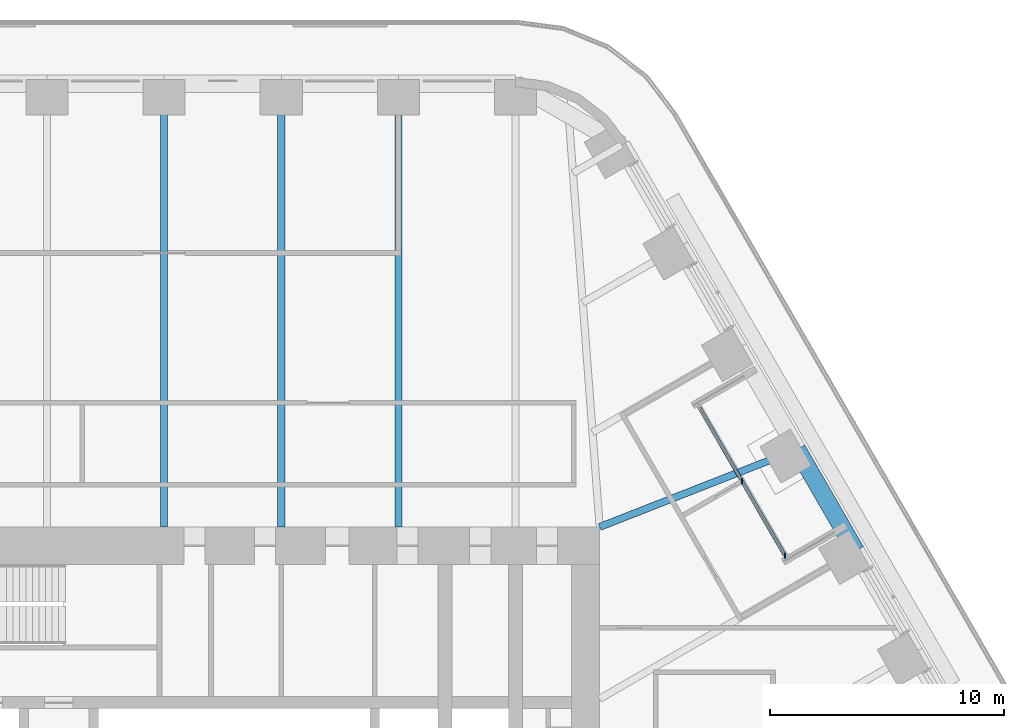
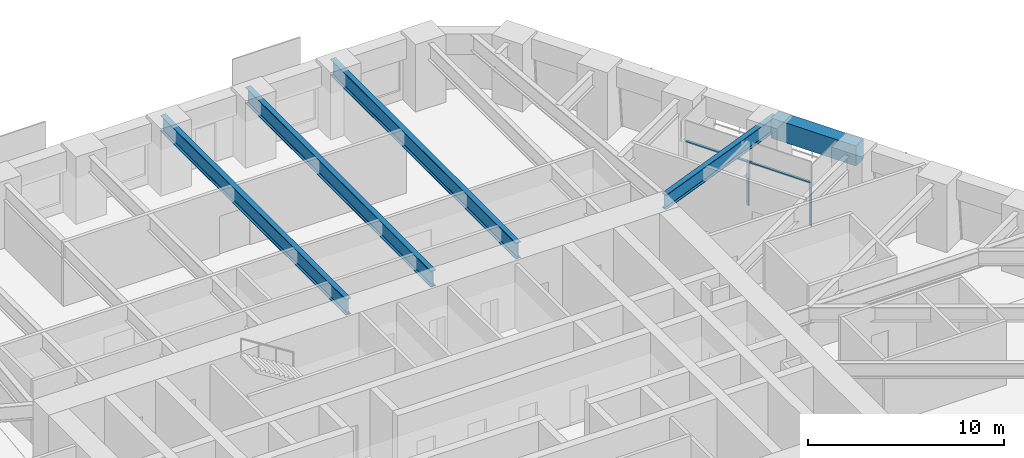
# One storey, part 11 of 24: 5 beams, 3 members, 1 element without a shape of its own.
"""IFC4 building model written with IfcOpenShell, lengths in metres."""

from ifc_helpers import new_model, si_unit, direction, frame, origin, origin_2d, place, context, subcontext, project, spatial, rectangle, i_section, extrude, material, material_profile, profile_set, type_object, element, aggregate, save


model = new_model("IFC4")

# Units and contexts
model_context = context("Model", 3, precision=1e-05, world=origin(), true_north=direction((0.0, 1.0)))
body_context = subcontext(model_context, "Body", "Model", "MODEL_VIEW")
ifc_project = project(units=[si_unit("LENGTHUNIT", "METRE"), si_unit("AREAUNIT", "SQUARE_METRE"), si_unit("VOLUMEUNIT", "CUBIC_METRE"), si_unit("PLANEANGLEUNIT", "RADIAN"), si_unit("MASSUNIT", "GRAM", prefix="KILO")], contexts=[model_context])

# Site, building, storey
site_placement = place(None, origin())
site = spatial("IfcSite", under=ifc_project, at=site_placement, CompositionType="ELEMENT")
building_placement = place(site_placement, origin())
building = spatial("IfcBuilding", under=site, at=building_placement, Name="Tarfa Lantern Tower", CompositionType="ELEMENT")
storey_placement = place(building_placement, frame((0.0, 0.0, 136.300048828125)))
storey = spatial("IfcBuildingStorey", under=building, at=storey_placement, Name="L30", CompositionType="ELEMENT", Elevation=136.300048828125)

# Curtain wall, members
ifc_material_1 = material(Name="Aluminium framed curtain wall", Category="aluminium")
curtain_wall_type = type_object("IfcCurtainWallType", Name="CW10 LOGGIA GLAZING 2750", PredefinedType="USERDEFINED", material=ifc_material_1)
curtain_wall_placement = place(storey_placement, origin())
curtain_wall = element("IfcCurtainWall", 1, at=curtain_wall_placement, inside=storey, type_object=curtain_wall_type, Name="CW10 NEL L30", ObjectType="CURTAIN WALL", PredefinedType="USERDEFINED")
ifc_material_2 = material(Name="Aluminium mullion", Category="aluminium")
ifc_material_profile_1 = material_profile(ifc_material_2, rectangle(XDim=0.06494140625, YDim=0.199951171875, at=origin_2d()), Name="AL MULLION 65x200")
ifc_profile_set_1 = profile_set([ifc_material_profile_1], Name="Aluminium mullion")
member_type_1 = type_object("IfcMemberType", Name="CWM1 MULLION 65x200", PredefinedType="MULLION", material=ifc_profile_set_1)
member_1_placement = place(storey_placement, frame((26.517333984375, 11.070556640625, 0.0), z_axis=(0.0, 0.0, 1.0), x_axis=(1.0, 0.0, 0.0)))
member_1 = element("IfcMember", 2, at=member_1_placement, type_object=member_type_1, Name="CW10 mullion 1", PredefinedType="MULLION", context=body_context, shape_type="SweptSolid", body=[
    extrude(rectangle(XDim=0.06494140625, YDim=0.199951171875, at=origin_2d()), origin(), (0.0, 0.0, 1.0), 2.75),
])
member_2_placement = place(storey_placement, frame((24.681640625, 14.25, 0.0), z_axis=(0.0, 0.0, 1.0), x_axis=(1.0, 0.0, 0.0)))
member_2 = element("IfcMember", 3, at=member_2_placement, type_object=member_type_1, Name="CW10 mullion 2", PredefinedType="MULLION", context=body_context, shape_type="SweptSolid", body=[
    extrude(rectangle(XDim=0.06494140625, YDim=0.199951171875, at=origin_2d()), origin(), (0.0, 0.0, 1.0), 2.75),
])
ifc_material_3 = material(Name="Aluminium transom", Category="aluminium")
ifc_material_profile_2 = material_profile(ifc_material_3, rectangle(XDim=0.14990234375, YDim=0.06494140625, at=origin_2d()), Name="AL TRANSOM 150x65")
ifc_profile_set_2 = profile_set([ifc_material_profile_2], Name="Aluminium transom")
member_type_2 = type_object("IfcMemberType", Name="CWT1 TRANSOM 150x65", PredefinedType="USERDEFINED", material=ifc_profile_set_2)
member_3_placement = place(storey_placement, frame((26.5009765625, 11.098876953125, 2.717529296875), z_axis=(-0.500007048974, 0.866021334019, 0.0), x_axis=(-0.866021334019, -0.500007048974, 0.0)))
member_3 = element("IfcMember", 4, at=member_3_placement, type_object=member_type_2, Name="CW10 transom 1.2", ObjectType="TRANSOM", PredefinedType="USERDEFINED", context=body_context, shape_type="SweptSolid", body=[
    extrude(rectangle(XDim=0.14990234375, YDim=0.06494140625, at=origin_2d()), origin(), (0.0, 0.0, 1.0), 7.27734375),
])
aggregate(curtain_wall, [member_1, member_2, member_3])

# Beams
ifc_material_4 = material(Name="Concrete C80/95", Category="concrete")
ifc_material_profile_3 = material_profile(ifc_material_4, rectangle(XDim=0.75, YDim=1.25, at=origin_2d()), Name="RC 750x1250")
ifc_profile_set_3 = profile_set([ifc_material_profile_3], Name="Concrete C80/95")
beam_type_1 = type_object("IfcBeamType", Name="EB2 RC 750x1250", PredefinedType="SPANDREL", material=ifc_profile_set_3)
beam_1_placement = place(storey_placement, frame((29.5390625, 11.276611328125, 3.375), z_axis=(-0.499964603504, 0.866045838996, 0.0), x_axis=(-0.866045838996, -0.499964603504, 0.0)))
element("IfcBeam", 5, at=beam_1_placement, inside=storey, type_object=beam_type_1, Name="Edge beam NE2", PredefinedType="SPANDREL", context=body_context, shape_type="SweptSolid", body=[
    extrude(rectangle(XDim=0.75, YDim=1.25, at=origin_2d()), origin(), (0.0, 0.0, 1.0), 5.003662109375),
])
ifc_material_5 = material(Name="Steel S460M", Category="steel")
ifc_material_profile_4 = material_profile(ifc_material_5, i_section(OverallWidth=0.302001953125, OverallDepth=1.008056640625, WebThickness=0.02099609375, FlangeThickness=0.0400390625, FilletRadius=0.030029296875, at=origin_2d()), Name="UB1016x305x349")
ifc_profile_set_4 = profile_set([ifc_material_profile_4], Name="Steel S460M")
beam_type_2 = type_object("IfcBeamType", Name="UB1016x305x349", PredefinedType="BEAM", material=ifc_profile_set_4)
for number, where, z_axis, x_axis, name in (
    (6, (10.00732421875, 31.219970703125, 3.495849609375), (0.0, -1.0, 0.0), (1.0, 0.0, 0.0), "Floor beam N1"),
    (7, (5.003662109375, 31.219970703125, 3.495849609375), (0.0, -1.0, 0.0), (1.0, 0.0, 0.0), "Floor beam N2"),
    (8, (0.0, 31.219970703125, 3.495849609375), (0.0, -1.0, 0.0), (1.0, 0.0, 0.0), "Floor beam N3"),
):
    element("IfcBeam", number, at=place(storey_placement, frame(where, z_axis=z_axis, x_axis=x_axis)), inside=storey, type_object=beam_type_2, Name=name, PredefinedType="BEAM", context=body_context, shape_type="SweptSolid", body=[
        extrude(i_section(OverallWidth=0.302001953125, OverallDepth=1.008056640625, WebThickness=0.02099609375, FlangeThickness=0.0400390625, FilletRadius=0.030029296875, at=origin_2d()), origin(), (0.0, 0.0, 1.0), 18.919921875),
    ])
ifc_material_profile_5 = material_profile(ifc_material_5, i_section(OverallWidth=0.305419921875, OverallDepth=0.91845703125, WebThickness=0.017333984375, FlangeThickness=0.02783203125, FilletRadius=0.01904296875, at=origin_2d()), Name="UB914x305x253")
ifc_profile_set_5 = profile_set([ifc_material_profile_5], Name="Steel S460M")
beam_type_3 = type_object("IfcBeamType", Name="UB914x305x253", PredefinedType="BEAM", material=ifc_profile_set_5)
beam_2_placement = place(storey_placement, frame((27.037353515625, 15.610107421875, 3.540771484375), z_axis=(-0.930923282782, -0.365214788274, 0.0), x_axis=(0.365214788274, -0.930923282782, 0.0)))
element("IfcBeam", 9, at=beam_2_placement, inside=storey, type_object=beam_type_3, Name="Floor beam NE3", PredefinedType="BEAM", context=body_context, shape_type="SweptSolid", body=[
    extrude(i_section(OverallWidth=0.305419921875, OverallDepth=0.91845703125, WebThickness=0.017333984375, FlangeThickness=0.02783203125, FilletRadius=0.01904296875, at=origin_2d()), origin(), (0.0, 0.0, 1.0), 9.063232421875),
])

save(model, "model.ifc")
